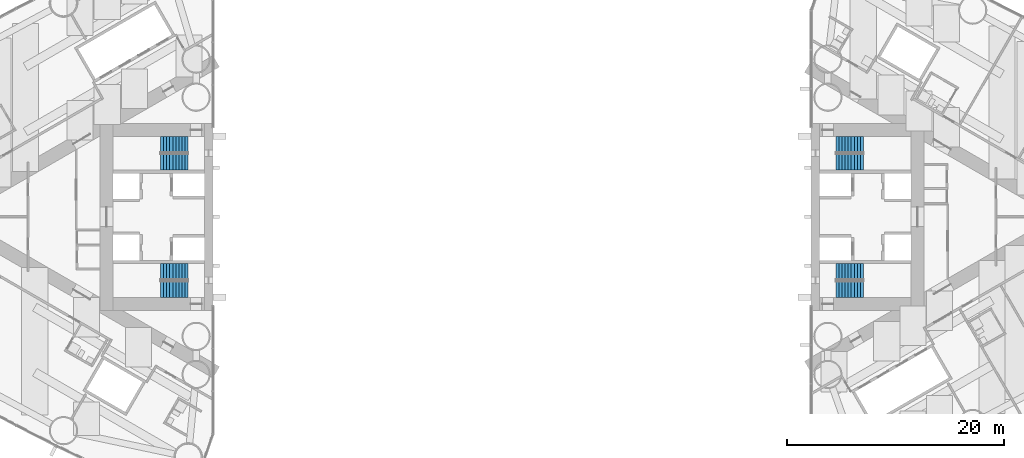
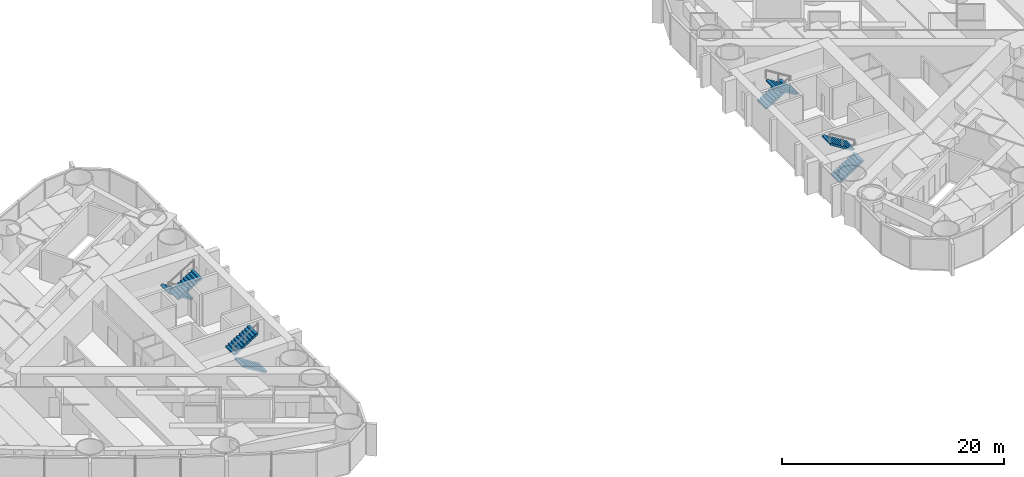
# One storey, part 17 of 19: 8 stair flights, 4 elements without a shape of their own.
"""IFC4 building model written with IfcOpenShell, lengths in metres."""

from ifc_helpers import new_model, si_unit, direction, frame, origin, place, context, subcontext, project, spatial, polyline, outline, extrude, material, type_object, element, aggregate, save


model = new_model("IFC4")

# Units and contexts
model_context = context("Model", 3, precision=1e-05, world=origin(), true_north=direction((0.0, 1.0)))
body_context = subcontext(model_context, "Body", "Model", "MODEL_VIEW")
ifc_project = project(units=[si_unit("LENGTHUNIT", "METRE"), si_unit("AREAUNIT", "SQUARE_METRE"), si_unit("VOLUMEUNIT", "CUBIC_METRE"), si_unit("PLANEANGLEUNIT", "RADIAN"), si_unit("MASSUNIT", "GRAM", prefix="KILO")], contexts=[model_context])

# Site, building, storey
site_placement = place(None, origin())
site = spatial("IfcSite", under=ifc_project, at=site_placement, CompositionType="ELEMENT")
building_placement = place(site_placement, origin())
building = spatial("IfcBuilding", under=site, at=building_placement, Name="Lancet Gate Hotel", CompositionType="ELEMENT")
storey_placement = place(building_placement, frame((0.0, 0.0, 90.60009765625)))
storey = spatial("IfcBuildingStorey", under=building, at=storey_placement, Name="L23", CompositionType="ELEMENT", Elevation=90.60009765625)

# Stair, stair flights
ifc_material_1 = material(Name="Exit stair 20 risers 1500")
stair_type = type_object("IfcStairType", Name="Exit stair 20 risers 1500", PredefinedType="HALF_TURN_STAIR", material=ifc_material_1)
stair_1_placement = place(storey_placement, origin())
stair_1 = element("IfcStair", 1, at=stair_1_placement, inside=storey, type_object=stair_type, Name="T1 stair 1 L23", PredefinedType="HALF_TURN_STAIR")
ifc_material_2 = material(Name="Stair flight 10 risers 175 rise 1500")
stair_flight_type = type_object("IfcStairFlightType", Name="Stair flight 10 risers 175 rise 1500", PredefinedType="STRAIGHT", material=ifc_material_2)
stair_flight_1_placement = place(storey_placement, frame((-29.800048828125, 6.64990234375, 0.0), z_axis=(0.0, 0.0, 1.0), x_axis=(-1.0, 0.0, 0.0)))
stair_flight_1 = element("IfcStairFlight", 2, at=stair_flight_1_placement, type_object=stair_flight_type, Name="ST1 flight 1", NumberOfRisers=10, NumberOfTreads=9, PredefinedType="STRAIGHT", RiserHeight=0.175, TreadLength=0.28, context=body_context, shape_type="SweptSolid", body=[
    extrude(outline(polyline([(0.0, 0.0), (0.0, 0.175048828125), (0.280029296875, 0.175048828125), (0.280029296875, 0.35009765625), (0.56005859375, 0.35009765625), (0.56005859375, 0.52490234375), (0.840087890625, 0.52490234375), (0.840087890625, 0.699951171875), (1.1201171875, 0.699951171875), (1.1201171875, 0.875), (1.39990234375, 0.875), (1.39990234375, 1.050048828125), (1.679931640625, 1.050048828125), (1.679931640625, 1.22509765625), (1.9599609375, 1.22509765625), (1.9599609375, 1.39990234375), (2.239990234375, 1.39990234375), (2.239990234375, 1.574951171875), (2.52001953125, 1.574951171875), (2.52001953125, 1.75), (2.52001953125, 1.398193359375), (0.28271484375, 0.0), (0.0, 0.0)])), frame((0.0, 0.75, 0.0), z_axis=(0.0, -1.0, 0.0), x_axis=(1.0, 0.0, 0.0)), (0.0, 0.0, 1.0), 1.5),
])
stair_flight_2_placement = place(storey_placement, frame((-32.320068359375, 5.050048828125, 1.75), z_axis=(0.0, 0.0, 1.0), x_axis=(1.0, 0.0, 0.0)))
stair_flight_2 = element("IfcStairFlight", 3, at=stair_flight_2_placement, type_object=stair_flight_type, Name="ST1 flight 2", NumberOfRisers=10, NumberOfTreads=9, PredefinedType="STRAIGHT", RiserHeight=0.175, TreadLength=0.28, context=body_context, shape_type="SweptSolid", body=[
    extrude(outline(polyline([(0.0, 0.0), (0.0, 0.175048828125), (0.280029296875, 0.175048828125), (0.280029296875, 0.35009765625), (0.56005859375, 0.35009765625), (0.56005859375, 0.52490234375), (0.840087890625, 0.52490234375), (0.840087890625, 0.699951171875), (1.1201171875, 0.699951171875), (1.1201171875, 0.875), (1.39990234375, 0.875), (1.39990234375, 1.050048828125), (1.679931640625, 1.050048828125), (1.679931640625, 1.22509765625), (1.9599609375, 1.22509765625), (1.9599609375, 1.39990234375), (2.239990234375, 1.39990234375), (2.239990234375, 1.574951171875), (2.52001953125, 1.574951171875), (2.52001953125, 1.75), (2.52001953125, 1.398193359375), (0.28271484375, 0.0), (0.0, 0.0)])), frame((0.0, 0.75, 0.0), z_axis=(0.0, -1.0, 0.0), x_axis=(1.0, 0.0, 0.0)), (0.0, 0.0, 1.0), 1.5),
])
aggregate(stair_1, [stair_flight_1, stair_flight_2])

stair_2_placement = place(storey_placement, origin())
stair_2 = element("IfcStair", 4, at=stair_2_placement, inside=storey, type_object=stair_type, Name="T1 stair 2 L23", PredefinedType="HALF_TURN_STAIR")
stair_flight_3_placement = place(storey_placement, frame((-29.800048828125, -6.64990234375, 0.0), z_axis=(0.0, 0.0, 1.0), x_axis=(-1.0, 0.0, 0.0)))
stair_flight_3 = element("IfcStairFlight", 5, at=stair_flight_3_placement, type_object=stair_flight_type, Name="ST2 flight 1", NumberOfRisers=10, NumberOfTreads=9, PredefinedType="STRAIGHT", RiserHeight=0.175, TreadLength=0.28, context=body_context, shape_type="SweptSolid", body=[
    extrude(outline(polyline([(0.0, 0.0), (0.0, 0.175048828125), (0.280029296875, 0.175048828125), (0.280029296875, 0.35009765625), (0.56005859375, 0.35009765625), (0.56005859375, 0.52490234375), (0.840087890625, 0.52490234375), (0.840087890625, 0.699951171875), (1.1201171875, 0.699951171875), (1.1201171875, 0.875), (1.39990234375, 0.875), (1.39990234375, 1.050048828125), (1.679931640625, 1.050048828125), (1.679931640625, 1.22509765625), (1.9599609375, 1.22509765625), (1.9599609375, 1.39990234375), (2.239990234375, 1.39990234375), (2.239990234375, 1.574951171875), (2.52001953125, 1.574951171875), (2.52001953125, 1.75), (2.52001953125, 1.398193359375), (0.28271484375, 0.0), (0.0, 0.0)])), frame((0.0, 0.75, 0.0), z_axis=(0.0, -1.0, 0.0), x_axis=(1.0, 0.0, 0.0)), (0.0, 0.0, 1.0), 1.5),
])
stair_flight_4_placement = place(storey_placement, frame((-32.320068359375, -5.050048828125, 1.75), z_axis=(0.0, 0.0, 1.0), x_axis=(1.0, 0.0, 0.0)))
stair_flight_4 = element("IfcStairFlight", 6, at=stair_flight_4_placement, type_object=stair_flight_type, Name="ST2 flight 2", NumberOfRisers=10, NumberOfTreads=9, PredefinedType="STRAIGHT", RiserHeight=0.175, TreadLength=0.28, context=body_context, shape_type="SweptSolid", body=[
    extrude(outline(polyline([(0.0, 0.0), (0.0, 0.175048828125), (0.280029296875, 0.175048828125), (0.280029296875, 0.35009765625), (0.56005859375, 0.35009765625), (0.56005859375, 0.52490234375), (0.840087890625, 0.52490234375), (0.840087890625, 0.699951171875), (1.1201171875, 0.699951171875), (1.1201171875, 0.875), (1.39990234375, 0.875), (1.39990234375, 1.050048828125), (1.679931640625, 1.050048828125), (1.679931640625, 1.22509765625), (1.9599609375, 1.22509765625), (1.9599609375, 1.39990234375), (2.239990234375, 1.39990234375), (2.239990234375, 1.574951171875), (2.52001953125, 1.574951171875), (2.52001953125, 1.75), (2.52001953125, 1.398193359375), (0.28271484375, 0.0), (0.0, 0.0)])), frame((0.0, 0.75, 0.0), z_axis=(0.0, -1.0, 0.0), x_axis=(1.0, 0.0, 0.0)), (0.0, 0.0, 1.0), 1.5),
])
aggregate(stair_2, [stair_flight_3, stair_flight_4])

stair_3_placement = place(storey_placement, origin())
stair_3 = element("IfcStair", 7, at=stair_3_placement, inside=storey, type_object=stair_type, Name="T2 stair 1 L23", PredefinedType="HALF_TURN_STAIR")
stair_flight_5_placement = place(storey_placement, frame((29.800048828125, -6.64990234375, 0.0), z_axis=(0.0, 0.0, 1.0), x_axis=(1.0, 0.0, 0.0)))
stair_flight_5 = element("IfcStairFlight", 8, at=stair_flight_5_placement, type_object=stair_flight_type, Name="ST3 flight 1", NumberOfRisers=10, NumberOfTreads=9, PredefinedType="STRAIGHT", RiserHeight=0.175, TreadLength=0.28, context=body_context, shape_type="SweptSolid", body=[
    extrude(outline(polyline([(0.0, 0.0), (0.0, 0.175048828125), (0.280029296875, 0.175048828125), (0.280029296875, 0.35009765625), (0.56005859375, 0.35009765625), (0.56005859375, 0.52490234375), (0.840087890625, 0.52490234375), (0.840087890625, 0.699951171875), (1.1201171875, 0.699951171875), (1.1201171875, 0.875), (1.39990234375, 0.875), (1.39990234375, 1.050048828125), (1.679931640625, 1.050048828125), (1.679931640625, 1.22509765625), (1.9599609375, 1.22509765625), (1.9599609375, 1.39990234375), (2.239990234375, 1.39990234375), (2.239990234375, 1.574951171875), (2.52001953125, 1.574951171875), (2.52001953125, 1.75), (2.52001953125, 1.398193359375), (0.28271484375, 0.0), (0.0, 0.0)])), frame((0.0, 0.75, 0.0), z_axis=(0.0, -1.0, 0.0), x_axis=(1.0, 0.0, 0.0)), (0.0, 0.0, 1.0), 1.5),
])
stair_flight_6_placement = place(storey_placement, frame((32.320068359375, -5.050048828125, 1.75), z_axis=(0.0, 0.0, 1.0), x_axis=(-1.0, 0.0, 0.0)))
stair_flight_6 = element("IfcStairFlight", 9, at=stair_flight_6_placement, type_object=stair_flight_type, Name="ST3 flight 2", NumberOfRisers=10, NumberOfTreads=9, PredefinedType="STRAIGHT", RiserHeight=0.175, TreadLength=0.28, context=body_context, shape_type="SweptSolid", body=[
    extrude(outline(polyline([(0.0, 0.0), (0.0, 0.175048828125), (0.280029296875, 0.175048828125), (0.280029296875, 0.35009765625), (0.56005859375, 0.35009765625), (0.56005859375, 0.52490234375), (0.840087890625, 0.52490234375), (0.840087890625, 0.699951171875), (1.1201171875, 0.699951171875), (1.1201171875, 0.875), (1.39990234375, 0.875), (1.39990234375, 1.050048828125), (1.679931640625, 1.050048828125), (1.679931640625, 1.22509765625), (1.9599609375, 1.22509765625), (1.9599609375, 1.39990234375), (2.239990234375, 1.39990234375), (2.239990234375, 1.574951171875), (2.52001953125, 1.574951171875), (2.52001953125, 1.75), (2.52001953125, 1.398193359375), (0.28271484375, 0.0), (0.0, 0.0)])), frame((0.0, 0.75, 0.0), z_axis=(0.0, -1.0, 0.0), x_axis=(1.0, 0.0, 0.0)), (0.0, 0.0, 1.0), 1.5),
])
aggregate(stair_3, [stair_flight_5, stair_flight_6])

stair_4_placement = place(storey_placement, origin())
stair_4 = element("IfcStair", 10, at=stair_4_placement, inside=storey, type_object=stair_type, Name="T2 stair 2 L23", PredefinedType="HALF_TURN_STAIR")
stair_flight_7_placement = place(storey_placement, frame((29.800048828125, 6.64990234375, 0.0), z_axis=(0.0, 0.0, 1.0), x_axis=(1.0, 0.0, 0.0)))
stair_flight_7 = element("IfcStairFlight", 11, at=stair_flight_7_placement, type_object=stair_flight_type, Name="ST4 flight 1", NumberOfRisers=10, NumberOfTreads=9, PredefinedType="STRAIGHT", RiserHeight=0.175, TreadLength=0.28, context=body_context, shape_type="SweptSolid", body=[
    extrude(outline(polyline([(0.0, 0.0), (0.0, 0.175048828125), (0.280029296875, 0.175048828125), (0.280029296875, 0.35009765625), (0.56005859375, 0.35009765625), (0.56005859375, 0.52490234375), (0.840087890625, 0.52490234375), (0.840087890625, 0.699951171875), (1.1201171875, 0.699951171875), (1.1201171875, 0.875), (1.39990234375, 0.875), (1.39990234375, 1.050048828125), (1.679931640625, 1.050048828125), (1.679931640625, 1.22509765625), (1.9599609375, 1.22509765625), (1.9599609375, 1.39990234375), (2.239990234375, 1.39990234375), (2.239990234375, 1.574951171875), (2.52001953125, 1.574951171875), (2.52001953125, 1.75), (2.52001953125, 1.398193359375), (0.28271484375, 0.0), (0.0, 0.0)])), frame((0.0, 0.75, 0.0), z_axis=(0.0, -1.0, 0.0), x_axis=(1.0, 0.0, 0.0)), (0.0, 0.0, 1.0), 1.5),
])
stair_flight_8_placement = place(storey_placement, frame((32.320068359375, 5.050048828125, 1.75), z_axis=(0.0, 0.0, 1.0), x_axis=(-1.0, 0.0, 0.0)))
stair_flight_8 = element("IfcStairFlight", 12, at=stair_flight_8_placement, type_object=stair_flight_type, Name="ST4 flight 2", NumberOfRisers=10, NumberOfTreads=9, PredefinedType="STRAIGHT", RiserHeight=0.175, TreadLength=0.28, context=body_context, shape_type="SweptSolid", body=[
    extrude(outline(polyline([(0.0, 0.0), (0.0, 0.175048828125), (0.280029296875, 0.175048828125), (0.280029296875, 0.35009765625), (0.56005859375, 0.35009765625), (0.56005859375, 0.52490234375), (0.840087890625, 0.52490234375), (0.840087890625, 0.699951171875), (1.1201171875, 0.699951171875), (1.1201171875, 0.875), (1.39990234375, 0.875), (1.39990234375, 1.050048828125), (1.679931640625, 1.050048828125), (1.679931640625, 1.22509765625), (1.9599609375, 1.22509765625), (1.9599609375, 1.39990234375), (2.239990234375, 1.39990234375), (2.239990234375, 1.574951171875), (2.52001953125, 1.574951171875), (2.52001953125, 1.75), (2.52001953125, 1.398193359375), (0.28271484375, 0.0), (0.0, 0.0)])), frame((0.0, 0.75, 0.0), z_axis=(0.0, -1.0, 0.0), x_axis=(1.0, 0.0, 0.0)), (0.0, 0.0, 1.0), 1.5),
])
aggregate(stair_4, [stair_flight_7, stair_flight_8])

save(model, "model.ifc")
